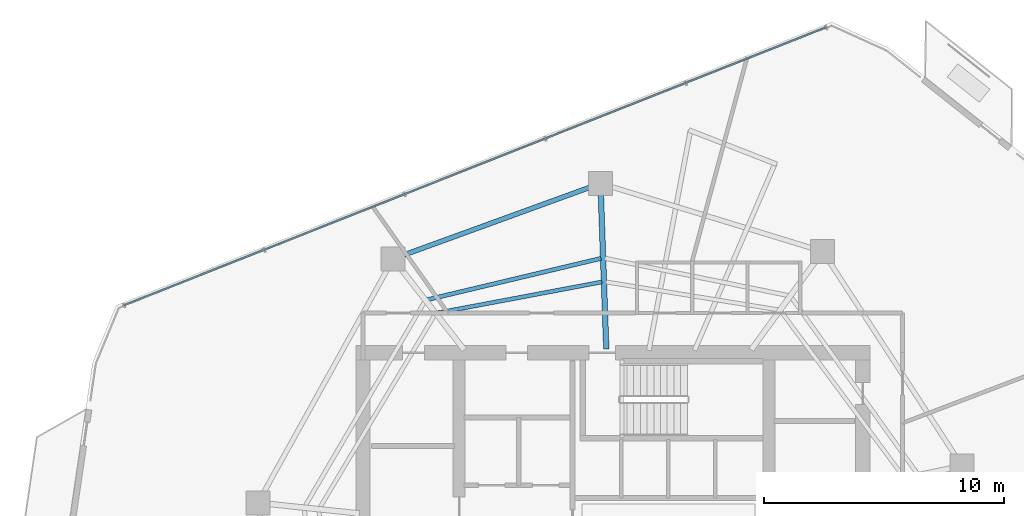
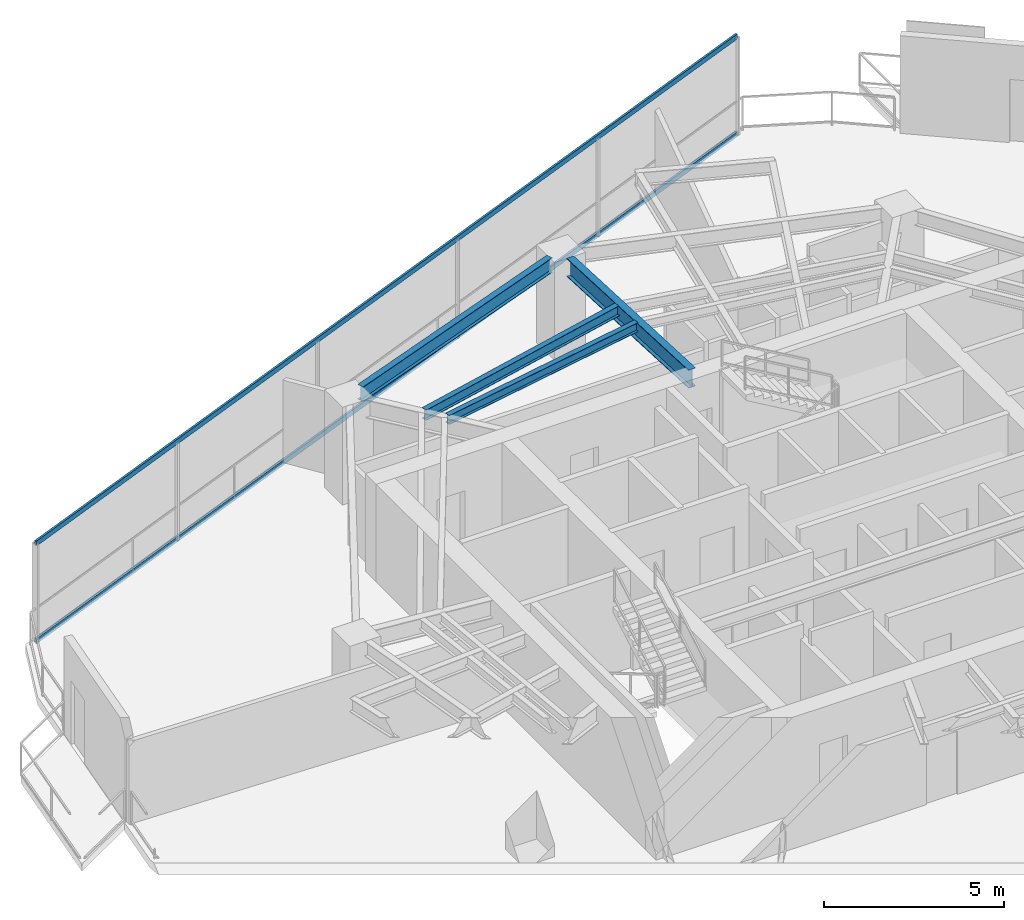
# One storey, part 12 of 20: 4 beams, 2 members, 1 element without a shape of its own.
"""IFC4 building model written with IfcOpenShell, lengths in metres."""

from ifc_helpers import new_model, si_unit, direction, frame, origin, origin_2d, place, context, subcontext, project, spatial, hollow_rectangle, i_section, extrude, material, layer, layer_set, material_profile, profile_set, type_object, element, aggregate, save


model = new_model("IFC4")

# Units and contexts
model_context = context("Model", 3, precision=1e-05, world=origin(), true_north=direction((0.0, 1.0)))
body_context = subcontext(model_context, "Body", "Model", "MODEL_VIEW")
ifc_project = project(units=[si_unit("LENGTHUNIT", "METRE"), si_unit("AREAUNIT", "SQUARE_METRE"), si_unit("VOLUMEUNIT", "CUBIC_METRE"), si_unit("PLANEANGLEUNIT", "RADIAN"), si_unit("MASSUNIT", "GRAM", prefix="KILO")], contexts=[model_context])

# Site, building, storey
site_placement = place(None, origin())
site = spatial("IfcSite", under=ifc_project, at=site_placement, CompositionType="ELEMENT")
building_placement = place(site_placement, origin())
building = spatial("IfcBuilding", under=site, at=building_placement, Name="Qarnah Convention Tower", CompositionType="ELEMENT")
storey_placement = place(building_placement, frame((0.0, 0.0, 147.300048828125)))
storey = spatial("IfcBuildingStorey", under=building, at=storey_placement, Name="L39", CompositionType="ELEMENT", Elevation=147.300048828125)

# Beams
ifc_material_1 = material(Name="Structural steel S355JR", Category="steel")
ifc_material_profile_1 = material_profile(ifc_material_1, i_section(OverallWidth=0.166015625, OverallDepth=0.31201171875, WebThickness=0.007080078125, FlangeThickness=0.010986328125, at=origin_2d()), Name="W310X45")
ifc_profile_set_1 = profile_set([ifc_material_profile_1], Name="Structural steel S355JR")
beam_type_1 = type_object("IfcBeamType", Name="BM-JST-W310", PredefinedType="JOIST", material=ifc_profile_set_1)
beam_1_placement = place(storey_placement, frame((36.737060546875, 37.139892578125, 3.1640625), z_axis=(-0.982756163935, -0.18490625259, 0.0), x_axis=(0.18490625259, -0.982756163935, 0.0)))
element("IfcBeam", 1, at=beam_1_placement, inside=storey, type_object=beam_type_1, Name="L39 joist BM-L39-IJST-03", PredefinedType="JOIST", context=body_context, shape_type="SweptSolid", body=[
    extrude(i_section(OverallWidth=0.166015625, OverallDepth=0.31201171875, WebThickness=0.007080078125, FlangeThickness=0.010986328125, at=origin_2d()), origin(), (0.0, 0.0, 1.0), 6.943603515625),
])
ifc_material_profile_2 = material_profile(ifc_material_1, i_section(OverallWidth=0.172119140625, OverallDepth=0.35595703125, WebThickness=0.007080078125, FlangeThickness=0.011962890625, at=origin_2d()), Name="W360X51")
ifc_profile_set_2 = profile_set([ifc_material_profile_2], Name="Structural steel S355JR")
beam_type_2 = type_object("IfcBeamType", Name="BM-JST-W360", PredefinedType="JOIST", material=ifc_profile_set_2)
beam_2_placement = place(storey_placement, frame((36.701904296875, 38.1220703125, 3.141845703125), z_axis=(-0.972859525366, -0.231396507979, 0.0), x_axis=(0.231396507979, -0.972859525366, 0.0)))
element("IfcBeam", 2, at=beam_2_placement, inside=storey, type_object=beam_type_2, Name="L39 joist BM-L39-SJST-03", PredefinedType="JOIST", context=body_context, shape_type="SweptSolid", body=[
    extrude(i_section(OverallWidth=0.172119140625, OverallDepth=0.35595703125, WebThickness=0.007080078125, FlangeThickness=0.011962890625, at=origin_2d()), origin(), (0.0, 0.0, 1.0), 7.416015625),
])
ifc_material_profile_3 = material_profile(ifc_material_1, i_section(OverallWidth=0.22998046875, OverallDepth=0.617919921875, WebThickness=0.012939453125, FlangeThickness=0.02197265625, at=origin_2d()), Name="W610X140")
ifc_profile_set_3 = profile_set([ifc_material_profile_3], Name="Structural steel S355JR")
beam_type_3 = type_object("IfcBeamType", Name="BM-RAD-W610A", PredefinedType="BEAM", material=ifc_profile_set_3)
beam_3_placement = place(storey_placement, frame((36.923095703125, 34.35009765625, 3.010986328125), z_axis=(-0.034938098977, 0.999389478252, 0.0), x_axis=(-0.999389478252, -0.034938098977, 0.0)))
element("IfcBeam", 3, at=beam_3_placement, inside=storey, type_object=beam_type_3, Name="L39 beam BM-L39-RAD-03", PredefinedType="BEAM", context=body_context, shape_type="SweptSolid", body=[
    extrude(i_section(OverallWidth=0.22998046875, OverallDepth=0.617919921875, WebThickness=0.012939453125, FlangeThickness=0.02197265625, at=origin_2d()), origin(), (0.0, 0.0, 1.0), 6.414794921875),
])
ifc_material_profile_4 = material_profile(ifc_material_1, i_section(OverallWidth=0.199951171875, OverallDepth=0.5, WebThickness=0.010009765625, FlangeThickness=0.01611328125, at=origin_2d()), Name="IPE500")
ifc_profile_set_4 = profile_set([ifc_material_profile_4], Name="Structural steel S355JR")
beam_type_4 = type_object("IfcBeamType", Name="BM-SPN-IPE500", PredefinedType="SPANDREL", material=ifc_profile_set_4)
beam_4_placement = place(storey_placement, frame((36.221923828125, 41.072998046875, 3.070068359375), z_axis=(-0.939745596534, -0.341874558567, 0.0), x_axis=(0.341874558567, -0.939745596534, 0.0)))
element("IfcBeam", 4, at=beam_4_placement, inside=storey, type_object=beam_type_4, Name="L39 spandrel BM-L39-SPN-03", PredefinedType="SPANDREL", context=body_context, shape_type="SweptSolid", body=[
    extrude(i_section(OverallWidth=0.199951171875, OverallDepth=0.5, WebThickness=0.010009765625, FlangeThickness=0.01611328125, at=origin_2d()), origin(), (0.0, 0.0, 1.0), 8.19873046875),
])

# Curtain wall, members
ifc_material_2 = material(Name="Tempered Low-E dark glass", Category="glass")
ifc_layer = layer(ifc_material_2, 0.172119140625)
ifc_layer_set = layer_set([ifc_layer], Name="Tempered Low-E dark glass")
curtain_wall_type = type_object("IfcCurtainWallType", Name="CWS-03", PredefinedType="NOTDEFINED", material=ifc_layer_set)
curtain_wall_placement = place(storey_placement, origin())
curtain_wall = element("IfcCurtainWall", 5, at=curtain_wall_placement, inside=storey, type_object=curtain_wall_type, Name="L39 unitised curtain wall CW-L39-F3", PredefinedType="NOTDEFINED")
ifc_material_3 = material(Name="Black anodised aluminium", Category="aluminium")
ifc_material_profile_5 = material_profile(ifc_material_3, hollow_rectangle(XDim=0.070068359375, YDim=0.169921875, WallThickness=0.0048828125, at=origin_2d()), Name="TRN-70X170")
ifc_profile_set_5 = profile_set([ifc_material_profile_5], Name="Black anodised aluminium")
member_type = type_object("IfcMemberType", Name="TRN-T3", PredefinedType="USERDEFINED", material=ifc_profile_set_5)
member_1_placement = place(storey_placement, frame((16.85302734375, 36.166015625, 0.0), z_axis=(0.929775538586, 0.368126945289, 0.0), x_axis=(-0.368126945289, 0.929775538586, 0.0)))
member_1 = element("IfcMember", 6, at=member_1_placement, type_object=member_type, Name="CW-L39-F3 transom 1", ObjectType="TRANSOM", PredefinedType="USERDEFINED", context=body_context, shape_type="SweptSolid", body=[
    extrude(hollow_rectangle(XDim=0.070068359375, YDim=0.169921875, WallThickness=0.0048828125, at=origin_2d()), origin(), (0.0, 0.0, 1.0), 31.427001953125),
])
member_2_placement = place(storey_placement, frame((16.85302734375, 36.166015625, 3.320068359375), z_axis=(0.929775538586, 0.368126945289, 0.0), x_axis=(-0.368126945289, 0.929775538586, 0.0)))
member_2 = element("IfcMember", 7, at=member_2_placement, type_object=member_type, Name="CW-L39-F3 transom 2", ObjectType="TRANSOM", PredefinedType="USERDEFINED", context=body_context, shape_type="SweptSolid", body=[
    extrude(hollow_rectangle(XDim=0.070068359375, YDim=0.169921875, WallThickness=0.0048828125, at=origin_2d()), origin(), (0.0, 0.0, 1.0), 31.427001953125),
])
aggregate(curtain_wall, [member_1, member_2])

save(model, "model.ifc")
